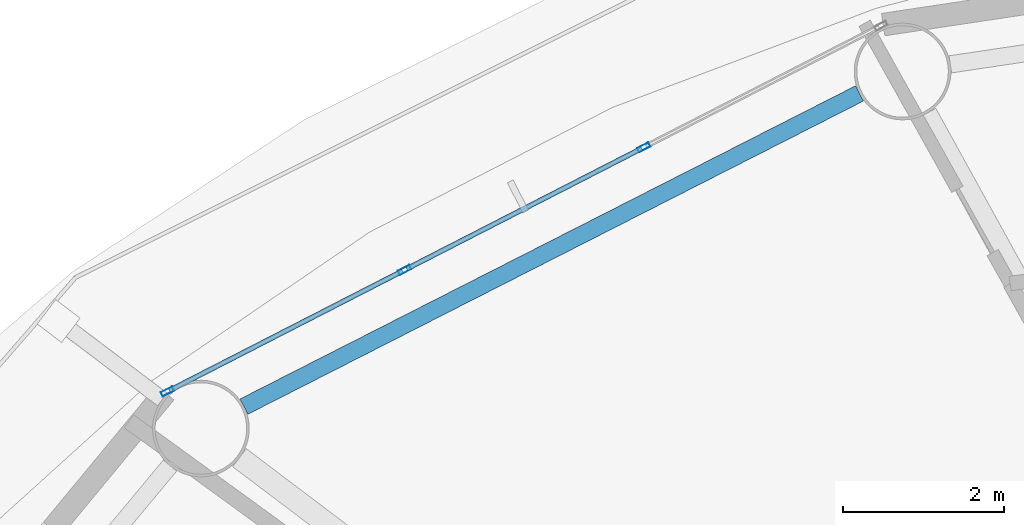
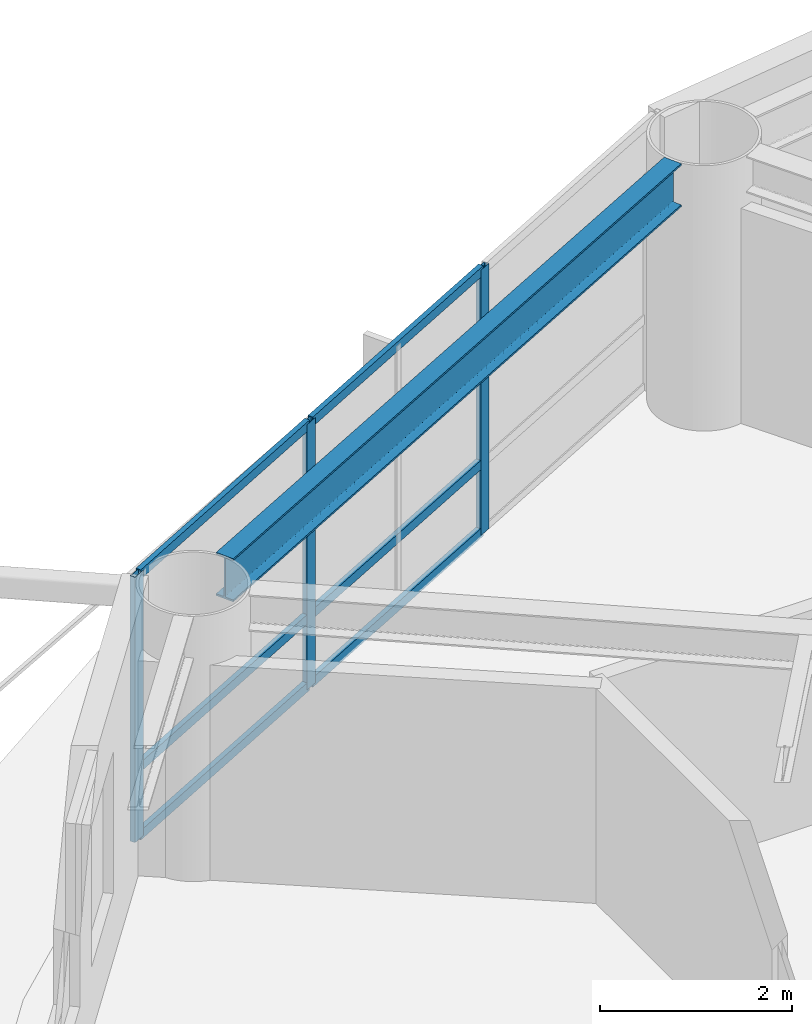
# One storey, part 11 of 28: 9 members, 1 beam, 1 element without a shape of its own.
"""IFC4 building model written with IfcOpenShell, lengths in metres."""

from ifc_helpers import new_model, si_unit, direction, frame, origin, origin_2d, place, context, subcontext, project, spatial, hollow_rectangle, i_section, extrude, material, layer, layer_set, material_profile, profile_set, type_object, element, aggregate, save


model = new_model("IFC4")

# Units and contexts
model_context = context("Model", 3, precision=1e-05, world=origin(), true_north=direction((0.0, 1.0)))
body_context = subcontext(model_context, "Body", "Model", "MODEL_VIEW")
ifc_project = project(units=[si_unit("LENGTHUNIT", "METRE"), si_unit("AREAUNIT", "SQUARE_METRE"), si_unit("VOLUMEUNIT", "CUBIC_METRE"), si_unit("PLANEANGLEUNIT", "RADIAN"), si_unit("MASSUNIT", "GRAM", prefix="KILO")], contexts=[model_context])

# Site, building, storey
site_placement = place(None, origin())
site = spatial("IfcSite", under=ifc_project, at=site_placement, CompositionType="ELEMENT")
building_placement = place(site_placement, origin())
building = spatial("IfcBuilding", under=site, at=building_placement, Name="Sarneth Arch Tower", CompositionType="ELEMENT")
storey_placement = place(building_placement, frame((0.0, 0.0, 183.0)))
storey = spatial("IfcBuildingStorey", under=building, at=storey_placement, Name="L46", CompositionType="ELEMENT", Elevation=183.0)

# Beam
ifc_material_1 = material(Name="Steel S355", Category="steel")
ifc_material_profile_1 = material_profile(ifc_material_1, i_section(OverallWidth=0.214111328125, OverallDepth=0.549072265625, WebThickness=0.0146484375, FlangeThickness=0.023681640625, FilletRadius=0.01806640625, at=origin_2d()), Name="W530x138")
ifc_profile_set_1 = profile_set([ifc_material_profile_1], Name="Steel S355")
beam_type = type_object("IfcBeamType", Name="BM-RAD-530A", PredefinedType="BEAM", material=ifc_profile_set_1)
beam_placement = place(storey_placement, frame((37.04345703125, 60.621337890625, 3.10546875), z_axis=(-0.891250372735, -0.453511601945, 0.0), x_axis=(0.453511601945, -0.891250372735, 0.0)))
element("IfcBeam", 1, at=beam_placement, inside=storey, type_object=beam_type, Name="L46 Perimeter spandrel beam 06", PredefinedType="BEAM", context=body_context, shape_type="SweptSolid", body=[
    extrude(i_section(OverallWidth=0.214111328125, OverallDepth=0.549072265625, WebThickness=0.0146484375, FlangeThickness=0.023681640625, FilletRadius=0.01806640625, at=origin_2d()), origin(), (0.0, 0.0, 1.0), 8.5751953125),
])

# Curtain wall, members
ifc_material_2 = material(Name="Anodised aluminium Type AA25 and solar-control low-e laminated IGU", Category="aluminium")
ifc_layer = layer(ifc_material_2, 0.169921875)
ifc_layer_set = layer_set([ifc_layer], Name="Anodised aluminium Type AA25 and solar-control low-e laminated IGU")
curtain_wall_type = type_object("IfcCurtainWallType", Name="CW-RES-MID", PredefinedType="NOTDEFINED", material=ifc_layer_set)
curtain_wall_placement = place(storey_placement, origin())
curtain_wall = element("IfcCurtainWall", 2, at=curtain_wall_placement, inside=storey, type_object=curtain_wall_type, Name="L46 Unitised curtain wall facet 06", PredefinedType="NOTDEFINED")
ifc_material_3 = material(Name="Anodised Aluminium 6063-T6", Category="aluminium")
ifc_material_profile_2 = material_profile(ifc_material_3, hollow_rectangle(XDim=0.06005859375, YDim=0.159912109375, WallThickness=0.00390625, at=origin_2d()), Name="AL-MULL-160x60x4")
ifc_profile_set_2 = profile_set([ifc_material_profile_2], Name="Anodised Aluminium 6063-T6")
member_type_1 = type_object("IfcMemberType", Name="CW-MULLION", PredefinedType="MULLION", material=ifc_profile_set_2)
member_1_placement = place(storey_placement, frame((34.365966796875, 59.9521484375, 0.0), z_axis=(0.0, 0.0, 1.0), x_axis=(0.456208470329, -0.88987293003, 0.0)))
member_1 = element("IfcMember", 3, at=member_1_placement, type_object=member_type_1, Name="CW-SYS-5 mullion 2", PredefinedType="MULLION", context=body_context, shape_type="SweptSolid", body=[
    extrude(hollow_rectangle(XDim=0.06005859375, YDim=0.159912109375, WallThickness=0.00390625, at=origin_2d()), origin(), (0.0, 0.0, 1.0), 3.3798828125),
])
member_2_placement = place(storey_placement, frame((31.39501953125, 58.428955078125, 0.0), z_axis=(0.0, 0.0, 1.0), x_axis=(0.456208470329, -0.88987293003, 0.0)))
member_2 = element("IfcMember", 4, at=member_2_placement, type_object=member_type_1, Name="CW-SYS-5 mullion 3", PredefinedType="MULLION", context=body_context, shape_type="SweptSolid", body=[
    extrude(hollow_rectangle(XDim=0.06005859375, YDim=0.159912109375, WallThickness=0.00390625, at=origin_2d()), origin(), (0.0, 0.0, 1.0), 3.3798828125),
])
member_3_placement = place(storey_placement, frame((28.450439453125, 56.91943359375, 0.0), z_axis=(0.0, 0.0, 1.0), x_axis=(0.456208470329, -0.88987293003, 0.0)))
member_3 = element("IfcMember", 5, at=member_3_placement, type_object=member_type_1, Name="CW-SYS-5 mullion 4", PredefinedType="MULLION", context=body_context, shape_type="SweptSolid", body=[
    extrude(hollow_rectangle(XDim=0.06005859375, YDim=0.159912109375, WallThickness=0.00390625, at=origin_2d()), origin(), (0.0, 0.0, 1.0), 3.3798828125),
])
ifc_material_4 = material(Name="Anodised Aluminium 6063-T6", Category="aluminium")
ifc_material_profile_3 = material_profile(ifc_material_4, hollow_rectangle(XDim=0.06005859375, YDim=0.1201171875, WallThickness=0.00390625, at=origin_2d()), Name="AL-TRAN-120x60x4")
ifc_profile_set_3 = profile_set([ifc_material_profile_3], Name="Anodised Aluminium 6063-T6")
member_type_2 = type_object("IfcMemberType", Name="CW-TRANSOM", PredefinedType="USERDEFINED", material=ifc_profile_set_3)
member_4_placement = place(storey_placement, frame((34.33935546875, 59.9384765625, 0.030029296875), z_axis=(-0.889869396751, -0.45621536222, 0.0), x_axis=(0.45621536222, -0.889869396751, 0.0)))
member_4 = element("IfcMember", 6, at=member_4_placement, type_object=member_type_2, Name="CW-SYS-5 transom 2.1", ObjectType="TRANSOM", PredefinedType="USERDEFINED", context=body_context, shape_type="SweptSolid", body=[
    extrude(hollow_rectangle(XDim=0.06005859375, YDim=0.1201171875, WallThickness=0.00390625, at=origin_2d()), origin(), (0.0, 0.0, 1.0), 3.27880859375),
])
member_5_placement = place(storey_placement, frame((34.33935546875, 59.9384765625, 0.89990234375), z_axis=(-0.889869396751, -0.45621536222, 0.0), x_axis=(0.45621536222, -0.889869396751, 0.0)))
member_5 = element("IfcMember", 7, at=member_5_placement, type_object=member_type_2, Name="CW-SYS-5 transom 2.2", ObjectType="TRANSOM", PredefinedType="USERDEFINED", context=body_context, shape_type="SweptSolid", body=[
    extrude(hollow_rectangle(XDim=0.06005859375, YDim=0.1201171875, WallThickness=0.00390625, at=origin_2d()), origin(), (0.0, 0.0, 1.0), 3.27880859375),
])
member_6_placement = place(storey_placement, frame((34.33935546875, 59.9384765625, 3.35009765625), z_axis=(-0.889869396751, -0.45621536222, 0.0), x_axis=(0.45621536222, -0.889869396751, 0.0)))
member_6 = element("IfcMember", 8, at=member_6_placement, type_object=member_type_2, Name="CW-SYS-5 transom 2.3", ObjectType="TRANSOM", PredefinedType="USERDEFINED", context=body_context, shape_type="SweptSolid", body=[
    extrude(hollow_rectangle(XDim=0.06005859375, YDim=0.1201171875, WallThickness=0.00390625, at=origin_2d()), origin(), (0.0, 0.0, 1.0), 3.27880859375),
])
member_7_placement = place(storey_placement, frame((31.3681640625, 58.415283203125, 0.030029296875), z_axis=(-0.889857362344, -0.456238835131, 0.0), x_axis=(0.456238835131, -0.889857362344, 0.0)))
member_7 = element("IfcMember", 9, at=member_7_placement, type_object=member_type_2, Name="CW-SYS-5 transom 3.1", ObjectType="TRANSOM", PredefinedType="USERDEFINED", context=body_context, shape_type="SweptSolid", body=[
    extrude(hollow_rectangle(XDim=0.06005859375, YDim=0.1201171875, WallThickness=0.00390625, at=origin_2d()), origin(), (0.0, 0.0, 1.0), 3.248779296875),
])
member_8_placement = place(storey_placement, frame((31.3681640625, 58.415283203125, 0.89990234375), z_axis=(-0.889857362344, -0.456238835131, 0.0), x_axis=(0.456238835131, -0.889857362344, 0.0)))
member_8 = element("IfcMember", 10, at=member_8_placement, type_object=member_type_2, Name="CW-SYS-5 transom 3.2", ObjectType="TRANSOM", PredefinedType="USERDEFINED", context=body_context, shape_type="SweptSolid", body=[
    extrude(hollow_rectangle(XDim=0.06005859375, YDim=0.1201171875, WallThickness=0.00390625, at=origin_2d()), origin(), (0.0, 0.0, 1.0), 3.248779296875),
])
member_9_placement = place(storey_placement, frame((31.3681640625, 58.415283203125, 3.35009765625), z_axis=(-0.889857362344, -0.456238835131, 0.0), x_axis=(0.456238835131, -0.889857362344, 0.0)))
member_9 = element("IfcMember", 11, at=member_9_placement, type_object=member_type_2, Name="CW-SYS-5 transom 3.3", ObjectType="TRANSOM", PredefinedType="USERDEFINED", context=body_context, shape_type="SweptSolid", body=[
    extrude(hollow_rectangle(XDim=0.06005859375, YDim=0.1201171875, WallThickness=0.00390625, at=origin_2d()), origin(), (0.0, 0.0, 1.0), 3.248779296875),
])
aggregate(curtain_wall, [member_1, member_2, member_3, member_4, member_5, member_6, member_7, member_8, member_9])

save(model, "model.ifc")
